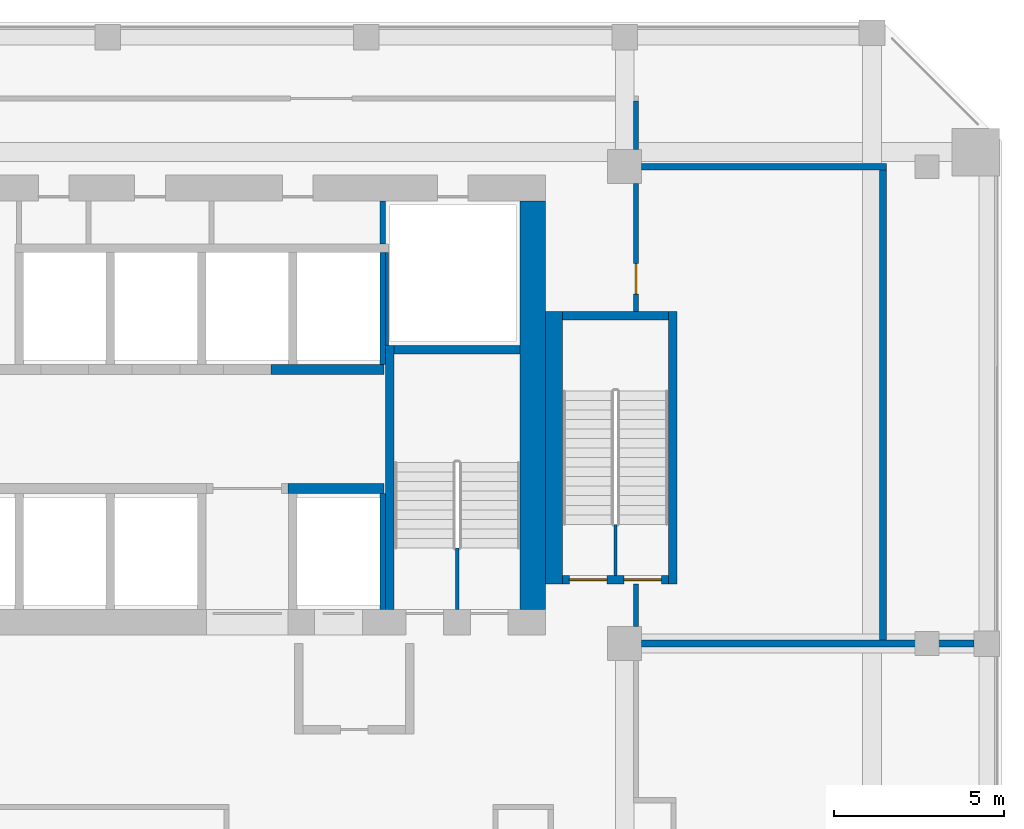
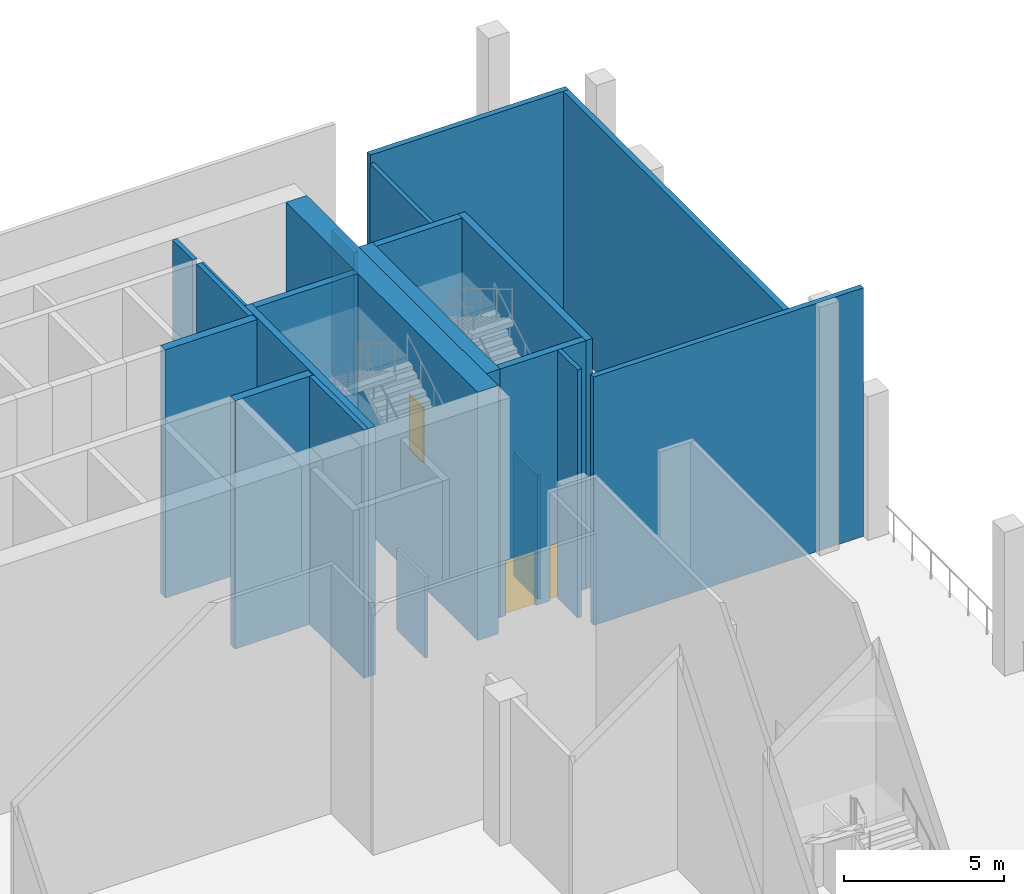
# One storey, part 5 of 12: 21 walls, 3 doors, 3 openings.
"""IFC4 building model written with IfcOpenShell, lengths in metres."""

from ifc_helpers import new_model, si_unit, direction, frame, frame_2d, origin, place, context, subcontext, project, spatial, rectangle, extrude, source, transform, mapped, material, layer, layer_set, type_object, element, fill, save


model = new_model("IFC4")

# Units and contexts
model_context = context("Model", 3, precision=1e-05, world=origin(), true_north=direction((0.0, 1.0)))
body_context = subcontext(model_context, "Body", "Model", "MODEL_VIEW")
ifc_project = project(units=[si_unit("LENGTHUNIT", "METRE"), si_unit("AREAUNIT", "SQUARE_METRE"), si_unit("VOLUMEUNIT", "CUBIC_METRE"), si_unit("PLANEANGLEUNIT", "RADIAN"), si_unit("MASSUNIT", "GRAM", prefix="KILO")], contexts=[model_context])

# Site, building, storey
site_placement = place(None, origin())
site = spatial("IfcSite", under=ifc_project, at=site_placement, CompositionType="ELEMENT")
building_placement = place(site_placement, origin())
building = spatial("IfcBuilding", under=site, at=building_placement, Name="Kilnfold Tower and Market Hall", CompositionType="ELEMENT")
storey_placement = place(building_placement, frame((0.0, 0.0, 223.699951171875)))
storey = spatial("IfcBuildingStorey", under=building, at=storey_placement, Name="L55 Refuge Wind Floor", CompositionType="ELEMENT", Elevation=223.699951171875)

# Wall, opening, door
ifc_material_1 = material(Name="Gypsum board on steel studs", Category="steel")
ifc_layer_1 = layer(ifc_material_1, 0.14990234375)
ifc_layer_set_1 = layer_set([ifc_layer_1], Name="Gypsum board on steel studs")
wall_type_1 = type_object("IfcWallType", Name="WALL CORRIDOR 150", PredefinedType="PARTITIONING", material=ifc_layer_set_1)
wall_1_placement = place(storey_placement, frame((20.5, 17.75, 0.0), z_axis=(0.0, 0.0, 1.0), x_axis=(0.0, 1.0, 0.0)))
wall_1 = element("IfcWall", 1, at=wall_1_placement, inside=storey, type_object=wall_type_1, Name="Partition LY33.21", PredefinedType="PARTITIONING", context=body_context, shape_type="SweptSolid", body=[
    extrude(rectangle(XDim=3.75, YDim=0.14990234375, at=frame_2d((1.875, 0.0))), origin(), (0.0, 0.0, 1.0), 9.5),
])
opening_1_placement = place(wall_1_placement, frame((0.506103515625, 0.0, 0.0)))
opening_1 = element("IfcOpeningElement", 2, at=opening_1_placement, cuts=wall_1, Name="Opening D2", PredefinedType="OPENING", context=body_context, shape_type="SweptSolid", body=[
    extrude(rectangle(XDim=0.89990234375, YDim=2.10009765625, at=frame_2d((0.449951171875, 1.050048828125))), frame((0.0, 0.0849609375, 0.0), z_axis=(0.0, -1.0, 0.0), x_axis=(1.0, 0.0, 0.0)), (0.0, 0.0, 1.0), 0.169921875),
])
ifc_material_2 = material(Name="Timber veneer door leaf in steel frame", Category="steel")
door_type_1 = type_object("IfcDoorType", Name="DOOR ROOM 900 X2100", OperationType="NOTDEFINED", PredefinedType="DOOR", material=ifc_material_2)
door_1_placement = place(opening_1_placement, origin())
door_1 = element("IfcDoor", 3, at=door_1_placement, inside=storey, type_object=door_type_1, Name="Door D2", OperationType="SINGLE_SWING_RIGHT", OverallHeight=2.10009765625, OverallWidth=0.89990234375, PredefinedType="DOOR", context=body_context, shape_type="SweptSolid", body=[
    extrude(rectangle(XDim=0.89990234375, YDim=2.10009765625, at=frame_2d((0.449951171875, 1.050048828125))), frame((0.0, 0.02490234375, 0.0), z_axis=(0.0, -1.0, 0.0), x_axis=(1.0, 0.0, 0.0)), (0.0, 0.0, 1.0), 0.050048828125),
])
fill(opening_1, door_1)

# Walls
wall_2_placement = place(storey_placement, frame((20.5, 8.5, 0.0), z_axis=(0.0, 0.0, 1.0), x_axis=(0.0, 1.0, 0.0)))
element("IfcWall", 4, at=wall_2_placement, inside=storey, type_object=wall_type_1, Name="Partition LY33.22", PredefinedType="PARTITIONING", context=body_context, shape_type="SweptSolid", body=[
    extrude(rectangle(XDim=1.25, YDim=0.14990234375, at=frame_2d((0.625, 0.0))), origin(), (0.0, 0.0, 1.0), 9.5),
])
wall_3_placement = place(storey_placement, frame((20.5, 22.5, 0.0), z_axis=(0.0, 0.0, 1.0), x_axis=(0.0, 1.0, 0.0)))
element("IfcWall", 5, at=wall_3_placement, inside=storey, type_object=wall_type_1, Name="Partition LY33.25", PredefinedType="PARTITIONING", context=body_context, shape_type="SweptSolid", body=[
    extrude(rectangle(XDim=1.425048828125, YDim=0.14990234375, at=frame_2d((0.71240234375, 0.0))), origin(), (0.0, 0.0, 1.0), 5.5),
])
ifc_material_3 = material(Name="Gypsum board on steel studs", Category="steel")
ifc_layer_2 = layer(ifc_material_3, 0.199951171875)
ifc_layer_set_2 = layer_set([ifc_layer_2], Name="Gypsum board on steel studs")
wall_type_2 = type_object("IfcWallType", Name="WALL PARTY 200", PredefinedType="PARTITIONING", material=ifc_layer_set_2)
wall_4_placement = place(storey_placement, frame((20.6669921875, 8.0, 0.0), z_axis=(0.0, 0.0, 1.0), x_axis=(1.0, 0.0, 0.0)))
element("IfcWall", 6, at=wall_4_placement, inside=storey, type_object=wall_type_2, Name="Partition LY33.37", PredefinedType="PARTITIONING", context=body_context, shape_type="SweptSolid", body=[
    extrude(rectangle(XDim=9.758056640625, YDim=0.199951171875, at=frame_2d((4.87890625, 0.0))), origin(), (0.0, 0.0, 1.0), 9.5),
])
wall_5_placement = place(storey_placement, frame((27.85009765625, 22.0, 0.0), z_axis=(0.0, 0.0, 1.0), x_axis=(-1.0, 0.0, 0.0)))
element("IfcWall", 7, at=wall_5_placement, inside=storey, type_object=wall_type_2, Name="Partition LY33.38", PredefinedType="PARTITIONING", context=body_context, shape_type="SweptSolid", body=[
    extrude(rectangle(XDim=7.18310546875, YDim=0.199951171875, at=frame_2d((3.591552734375, 0.0))), origin(), (0.0, 0.0, 1.0), 9.5),
])
wall_6_placement = place(storey_placement, frame((27.75, 8.10009765625, 0.0), z_axis=(0.0, 0.0, 1.0), x_axis=(0.0, 1.0, 0.0)))
element("IfcWall", 8, at=wall_6_placement, inside=storey, type_object=wall_type_2, Name="Partition LY33.39", PredefinedType="PARTITIONING", context=body_context, shape_type="SweptSolid", body=[
    extrude(rectangle(XDim=13.7998046875, YDim=0.199951171875, at=frame_2d((6.89990234375, 0.0))), origin(), (0.0, 0.0, 1.0), 9.5),
])
ifc_material_4 = material(Name="Concrete C60", Category="concrete")
ifc_layer_3 = layer(ifc_material_4, 0.25)
ifc_layer_set_3 = layer_set([ifc_layer_3], Name="Concrete C60")
wall_type_3 = type_object("IfcWallType", Name="CORE WALL 250 C60", PredefinedType="SHEAR", material=ifc_layer_set_3)
shared_shape_1 = source(origin(), body_context, "Body", "SweptSolid", [
    extrude(rectangle(XDim=7.75, YDim=0.25, at=frame_2d((3.875, 0.0))), origin(), (0.0, 0.0, 1.0), 9.5),
])
wall_7_placement = place(storey_placement, frame((13.27490234375, 9.0, 0.0), z_axis=(0.0, 0.0, 1.0), x_axis=(0.0, 1.0, 0.0)))
element("IfcWall", 9, at=wall_7_placement, inside=storey, type_object=wall_type_3, Name="Stair enclosure ST2", PredefinedType="SHEAR", context=body_context, shape_type="MappedRepresentation", body=[
    mapped(shared_shape_1, transform((0.0, 0.0, 0.0))),
])
shared_shape_2 = source(origin(), body_context, "Body", "SweptSolid", [
    extrude(rectangle(XDim=3.7001953125, YDim=0.25, at=frame_2d((1.85009765625, 0.0))), origin(), (0.0, 0.0, 1.0), 9.5),
])
wall_8_placement = place(storey_placement, frame((13.39990234375, 16.625, 0.0), z_axis=(0.0, 0.0, 1.0), x_axis=(1.0, 0.0, 0.0)))
element("IfcWall", 10, at=wall_8_placement, inside=storey, type_object=wall_type_3, Name="Stair enclosure ST2", PredefinedType="SHEAR", context=body_context, shape_type="MappedRepresentation", body=[
    mapped(shared_shape_2, transform((0.0, 0.0, 0.0))),
])
shared_shape_3 = source(origin(), body_context, "Body", "SweptSolid", [
    extrude(rectangle(XDim=8.0, YDim=0.25, at=frame_2d((4.0, 0.0))), origin(), (0.0, 0.0, 1.0), 9.5),
])
wall_9_placement = place(storey_placement, frame((21.574951171875, 9.75, 0.0), z_axis=(0.0, 0.0, 1.0), x_axis=(0.0, 1.0, 0.0)))
element("IfcWall", 11, at=wall_9_placement, inside=storey, type_object=wall_type_3, Name="Stair enclosure ST5", PredefinedType="SHEAR", context=body_context, shape_type="MappedRepresentation", body=[
    mapped(shared_shape_3, transform((0.0, 0.0, 0.0))),
])

# Wall, openings, doors
shared_shape_4 = source(origin(), body_context, "Body", "SweptSolid", [
    extrude(rectangle(XDim=3.099853515625, YDim=0.25, at=frame_2d((1.5498046875, 0.0))), origin(), (0.0, 0.0, 1.0), 9.5),
])
wall_10_placement = place(storey_placement, frame((18.35009765625, 9.875, 0.0), z_axis=(0.0, 0.0, 1.0), x_axis=(1.0, 0.0, 0.0)))
wall_10 = element("IfcWall", 12, at=wall_10_placement, inside=storey, type_object=wall_type_3, Name="Stair enclosure ST5", PredefinedType="SHEAR", context=body_context, shape_type="MappedRepresentation", body=[
    mapped(shared_shape_4, transform((0.0, 0.0, 0.0))),
])
opening_2_placement = place(wall_10_placement, frame((0.199951171875, 0.0, 0.0)))
opening_2 = element("IfcOpeningElement", 13, at=opening_2_placement, cuts=wall_10, Name="Opening SD3", PredefinedType="OPENING", context=body_context, shape_type="SweptSolid", body=[
    extrude(rectangle(XDim=1.10009765625, YDim=2.10009765625, at=frame_2d((0.550048828125, 1.050048828125))), frame((0.0, 0.135009765625, 0.0), z_axis=(0.0, -1.0, 0.0), x_axis=(1.0, 0.0, 0.0)), (0.0, 0.0, 1.0), 0.27001953125),
])
opening_3_placement = place(wall_10_placement, frame((1.800048828125, 0.0, 0.0)))
opening_3 = element("IfcOpeningElement", 14, at=opening_3_placement, cuts=wall_10, Name="Opening SD3", PredefinedType="OPENING", context=body_context, shape_type="SweptSolid", body=[
    extrude(rectangle(XDim=1.10009765625, YDim=2.10009765625, at=frame_2d((0.550048828125, 1.050048828125))), frame((0.0, 0.135009765625, 0.0), z_axis=(0.0, -1.0, 0.0), x_axis=(1.0, 0.0, 0.0)), (0.0, 0.0, 1.0), 0.27001953125),
])
ifc_material_5 = material(Name="Steel door set with fire-resisting leaf", Category="steel")
door_type_2 = type_object("IfcDoorType", Name="STAIR REFUGE DOOR 1100X2100", OperationType="NOTDEFINED", PredefinedType="DOOR", material=ifc_material_5)
door_2_placement = place(opening_2_placement, origin())
door_2 = element("IfcDoor", 15, at=door_2_placement, inside=storey, type_object=door_type_2, Name="Exit stair ST5 door from refuge", OperationType="SINGLE_SWING_RIGHT", OverallHeight=2.10009765625, OverallWidth=1.10009765625, PredefinedType="DOOR", context=body_context, shape_type="SweptSolid", body=[
    extrude(rectangle(XDim=1.10009765625, YDim=2.10009765625, at=frame_2d((0.550048828125, 1.050048828125))), frame((0.0, 0.02490234375, 0.0), z_axis=(0.0, -1.0, 0.0), x_axis=(1.0, 0.0, 0.0)), (0.0, 0.0, 1.0), 0.050048828125),
])
fill(opening_2, door_2)
door_3_placement = place(opening_3_placement, origin())
door_3 = element("IfcDoor", 16, at=door_3_placement, inside=storey, type_object=door_type_2, Name="Exit stair ST5 door to refuge", OperationType="SINGLE_SWING_LEFT", OverallHeight=2.10009765625, OverallWidth=1.10009765625, PredefinedType="DOOR", context=body_context, shape_type="SweptSolid", body=[
    extrude(rectangle(XDim=1.10009765625, YDim=2.10009765625, at=frame_2d((0.550048828125, 1.050048828125))), frame((0.0, 0.02490234375, 0.0), z_axis=(0.0, -1.0, 0.0), x_axis=(1.0, 0.0, 0.0)), (0.0, 0.0, 1.0), 0.050048828125),
])
fill(opening_3, door_3)

# Walls
wall_11_placement = place(storey_placement, frame((18.35009765625, 17.625, 0.0), z_axis=(0.0, 0.0, 1.0), x_axis=(1.0, 0.0, 0.0)))
element("IfcWall", 17, at=wall_11_placement, inside=storey, type_object=wall_type_3, Name="Stair enclosure ST5", PredefinedType="SHEAR", context=body_context, shape_type="MappedRepresentation", body=[
    mapped(shared_shape_4, transform((0.0, 0.0, 0.0))),
])
ifc_material_6 = material(Name="Concrete C60", Category="concrete")
ifc_layer_4 = layer(ifc_material_6, 0.300048828125)
ifc_layer_set_4 = layer_set([ifc_layer_4], Name="Concrete C60")
wall_type_4 = type_object("IfcWallType", Name="CORE WALL 300 C60", PredefinedType="SHEAR", material=ifc_layer_set_4)
shared_shape_5 = source(origin(), body_context, "Body", "SweptSolid", [
    extrude(rectangle(XDim=2.820068359375, YDim=0.300048828125, at=frame_2d((1.41015625, 0.0))), origin(), (0.0, 0.0, 1.0), 9.5),
])
wall_12_placement = place(storey_placement, frame((10.2900390625, 12.550048828125, 0.0), z_axis=(0.0, 0.0, 1.0), x_axis=(1.0, 0.0, 0.0)))
element("IfcWall", 18, at=wall_12_placement, inside=storey, type_object=wall_type_4, Name="Core spine wall", PredefinedType="SHEAR", context=body_context, shape_type="MappedRepresentation", body=[
    mapped(shared_shape_5, transform((0.0, 0.0, 0.0))),
])
shared_shape_6 = source(origin(), body_context, "Body", "SweptSolid", [
    extrude(rectangle(XDim=3.320068359375, YDim=0.300048828125, at=frame_2d((1.66015625, 0.0))), origin(), (0.0, 0.0, 1.0), 9.5),
])
wall_13_placement = place(storey_placement, frame((9.7900390625, 16.050048828125, 0.0), z_axis=(0.0, 0.0, 1.0), x_axis=(1.0, 0.0, 0.0)))
element("IfcWall", 19, at=wall_13_placement, inside=storey, type_object=wall_type_4, Name="Core spine wall", PredefinedType="SHEAR", context=body_context, shape_type="MappedRepresentation", body=[
    mapped(shared_shape_6, transform((0.0, 0.0, 0.0))),
])
ifc_material_7 = material(Name="Concrete C60", Category="concrete")
ifc_layer_5 = layer(ifc_material_7, 0.75)
ifc_layer_set_5 = layer_set([ifc_layer_5], Name="Concrete C60")
wall_type_5 = type_object("IfcWallType", Name="CORE WALL 750 C60", PredefinedType="SHEAR", material=ifc_layer_set_5)
shared_shape_7 = source(origin(), body_context, "Body", "SweptSolid", [
    extrude(rectangle(XDim=12.0, YDim=0.75, at=frame_2d((6.0, 0.0))), origin(), (0.0, 0.0, 1.0), 9.5),
])
wall_14_placement = place(storey_placement, frame((17.47509765625, 9.0, 0.0), z_axis=(0.0, 0.0, 1.0), x_axis=(0.0, 1.0, 0.0)))
element("IfcWall", 20, at=wall_14_placement, inside=storey, type_object=wall_type_5, Name="Core outer wall east", PredefinedType="SHEAR", context=body_context, shape_type="MappedRepresentation", body=[
    mapped(shared_shape_7, transform((0.0, 0.0, 0.0))),
])
ifc_material_8 = material(Name="Concrete C60", Category="concrete")
ifc_layer_6 = layer(ifc_material_8, 0.5)
ifc_layer_set_6 = layer_set([ifc_layer_6], Name="Concrete C60")
wall_type_6 = type_object("IfcWallType", Name="CORE WALL 500 C60", PredefinedType="SHEAR", material=ifc_layer_set_6)
shared_shape_8 = source(origin(), body_context, "Body", "SweptSolid", [
    extrude(rectangle(XDim=8.0, YDim=0.5, at=frame_2d((4.0, 0.0))), origin(), (0.0, 0.0, 1.0), 9.5),
])
wall_15_placement = place(storey_placement, frame((18.10009765625, 9.75, 0.0), z_axis=(0.0, 0.0, 1.0), x_axis=(0.0, 1.0, 0.0)))
element("IfcWall", 21, at=wall_15_placement, inside=storey, type_object=wall_type_6, Name="Stair enclosure ST5", PredefinedType="SHEAR", context=body_context, shape_type="MappedRepresentation", body=[
    mapped(shared_shape_8, transform((0.0, 0.0, 0.0))),
])
ifc_material_9 = material(Name="Gypsum shaft wall system")
ifc_layer_7 = layer(ifc_material_9, 0.1650390625)
ifc_layer_set_7 = layer_set([ifc_layer_7], Name="Gypsum shaft wall system")
wall_type_7 = type_object("IfcWallType", Name="SHAFT WALL 165", PredefinedType="PARTITIONING", material=ifc_layer_set_7)
shared_shape_9 = source(origin(), body_context, "Body", "SweptSolid", [
    extrude(rectangle(XDim=3.275146484375, YDim=0.1650390625, at=frame_2d((1.6376953125, 0.0))), origin(), (0.0, 0.0, 1.0), 9.5),
])
wall_16_placement = place(storey_placement, frame((13.0673828125, 16.199951171875, 0.0), z_axis=(0.0, 0.0, 1.0), x_axis=(0.0, 1.0, 0.0)))
element("IfcWall", 22, at=wall_16_placement, inside=storey, type_object=wall_type_7, Name="Lift shaft wall", PredefinedType="PARTITIONING", context=body_context, shape_type="MappedRepresentation", body=[
    mapped(shared_shape_9, transform((0.0, 0.0, 0.0))),
])
shared_shape_10 = source(origin(), body_context, "Body", "SweptSolid", [
    extrude(rectangle(XDim=1.27490234375, YDim=0.1650390625, at=frame_2d((0.637451171875, 0.0))), origin(), (0.0, 0.0, 1.0), 9.5),
])
wall_17_placement = place(storey_placement, frame((13.0673828125, 19.72509765625, 0.0), z_axis=(0.0, 0.0, 1.0), x_axis=(0.0, 1.0, 0.0)))
element("IfcWall", 23, at=wall_17_placement, inside=storey, type_object=wall_type_7, Name="Lift shaft wall", PredefinedType="PARTITIONING", context=body_context, shape_type="MappedRepresentation", body=[
    mapped(shared_shape_10, transform((0.0, 0.0, 0.0))),
])
ifc_material_10 = material(Name="Gypsum shaft wall system")
ifc_layer_8 = layer(ifc_material_10, 0.0849609375)
ifc_layer_set_8 = layer_set([ifc_layer_8], Name="Gypsum shaft wall system")
wall_type_8 = type_object("IfcWallType", Name="SHAFT WALL 85", PredefinedType="PARTITIONING", material=ifc_layer_set_8)
shared_shape_11 = source(origin(), body_context, "Body", "SweptSolid", [
    extrude(rectangle(XDim=2.72509765625, YDim=0.0849609375, at=frame_2d((1.362548828125, 0.0))), origin(), (0.0, 0.0, 1.0), 9.5),
])
wall_18_placement = place(storey_placement, frame((13.1923828125, 16.75, 0.0), z_axis=(0.0, 0.0, 1.0), x_axis=(0.0, 1.0, 0.0)))
element("IfcWall", 24, at=wall_18_placement, inside=storey, type_object=wall_type_8, Name="Lift shaft wall", PredefinedType="PARTITIONING", context=body_context, shape_type="MappedRepresentation", body=[
    mapped(shared_shape_11, transform((0.0, 0.0, 0.0))),
])
shared_shape_12 = source(origin(), body_context, "Body", "SweptSolid", [
    extrude(rectangle(XDim=3.39990234375, YDim=0.1650390625, at=frame_2d((1.699951171875, 0.0))), origin(), (0.0, 0.0, 1.0), 9.5),
])
wall_19_placement = place(storey_placement, frame((13.0673828125, 9.0, 0.0), z_axis=(0.0, 0.0, 1.0), x_axis=(0.0, 1.0, 0.0)))
element("IfcWall", 25, at=wall_19_placement, inside=storey, type_object=wall_type_7, Name="Lift shaft wall", PredefinedType="PARTITIONING", context=body_context, shape_type="MappedRepresentation", body=[
    mapped(shared_shape_12, transform((0.0, 0.0, 0.0))),
])
ifc_material_11 = material(Name="Gypsum shaft wall system")
ifc_layer_9 = layer(ifc_material_11, 0.10009765625)
ifc_layer_set_9 = layer_set([ifc_layer_9], Name="Gypsum shaft wall system")
wall_type_9 = type_object("IfcWallType", Name="STAIR PARTITION 100", PredefinedType="PARTITIONING", material=ifc_layer_set_9)
shared_shape_13 = source(origin(), body_context, "Body", "SweptSolid", [
    extrude(rectangle(XDim=1.5, YDim=0.10009765625, at=frame_2d((0.75, 0.0))), origin(), (0.0, 0.0, 1.0), 4.75),
])
wall_20_placement = place(storey_placement, frame((19.89990234375, 10.0, 0.0), z_axis=(0.0, 0.0, 1.0), x_axis=(0.0, 1.0, 0.0)))
element("IfcWall", 26, at=wall_20_placement, inside=storey, type_object=wall_type_9, Name="Exit stair ST5 refuge partition", PredefinedType="PARTITIONING", context=body_context, shape_type="MappedRepresentation", body=[
    mapped(shared_shape_13, transform((0.0, 0.0, 0.0))),
])
shared_shape_14 = source(origin(), body_context, "Body", "SweptSolid", [
    extrude(rectangle(XDim=1.800048828125, YDim=0.10009765625, at=frame_2d((0.89990234375, 0.0))), origin(), (0.0, 0.0, 1.0), 3.10009765625),
])
wall_21_placement = place(storey_placement, frame((15.25, 9.0, 0.0), z_axis=(0.0, 0.0, 1.0), x_axis=(0.0, 1.0, 0.0)))
element("IfcWall", 27, at=wall_21_placement, inside=storey, type_object=wall_type_9, Name="Exit stair ST2 refuge partition", PredefinedType="PARTITIONING", context=body_context, shape_type="MappedRepresentation", body=[
    mapped(shared_shape_14, transform((0.0, 0.0, 0.0))),
])

save(model, "model.ifc")
